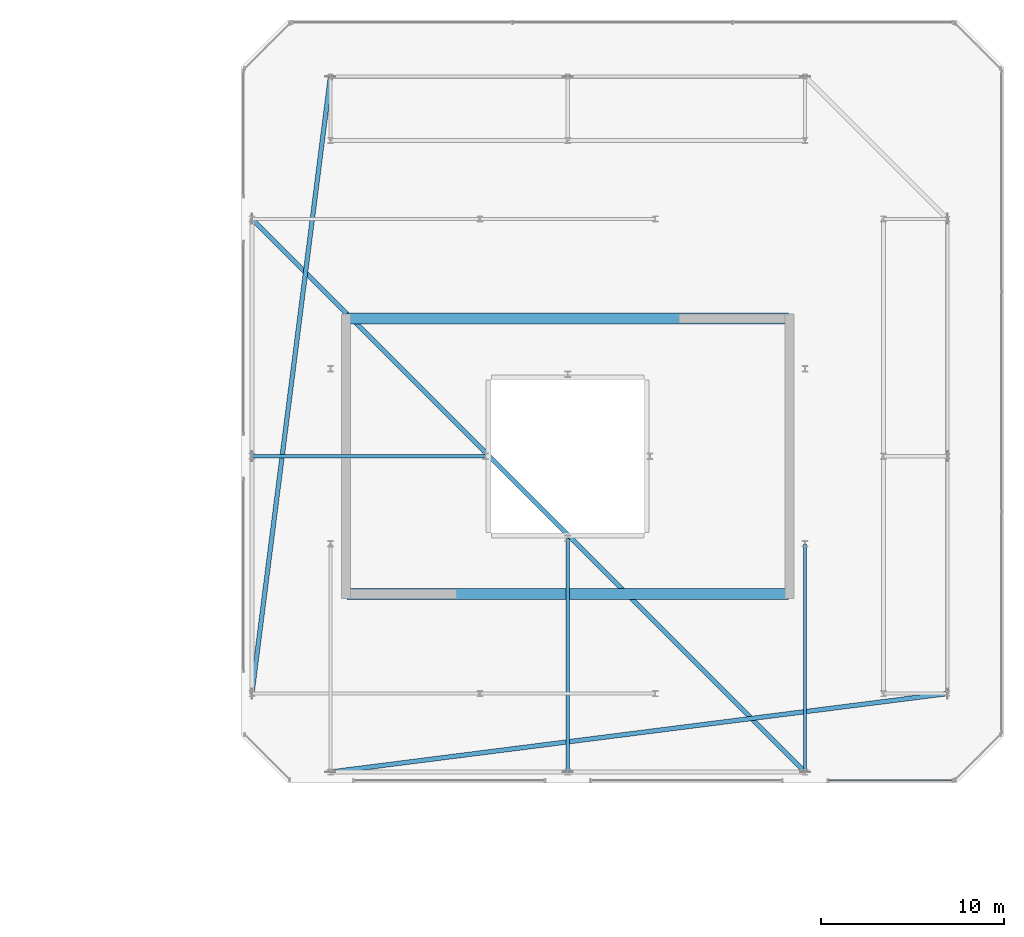
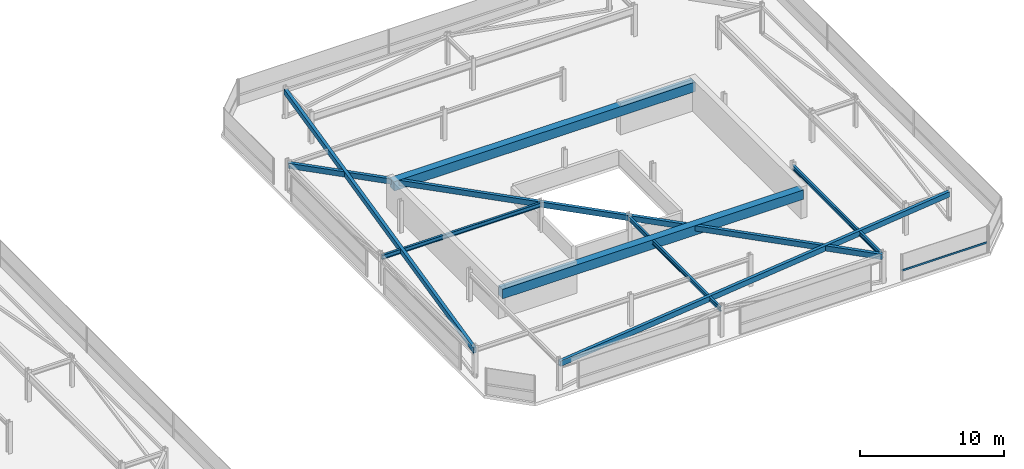
# One storey, part 32 of 44: 8 beams, 1 member, 1 element without a shape of its own.
"""IFC4 building model written with IfcOpenShell, lengths in metres."""

import ifcopenshell
import ifcopenshell.guid

model = None  # the IFC model being written
_history = None  # IfcOwnerHistory: only IFC2X3 demands one
_inside = {}  # id of a spatial element -> (the spatial element, [elements in it])
_under = {}  # id of a project, library or spatial element -> (it, [spatial elements below it])
_declared = {}  # id of a project -> (the project, [libraries it declares])
_typed = {}  # id of a type object -> (the type object, [elements of that type])
_made_of = {}  # id of a material, layer set ... -> (it, [elements and type objects made of it])


def new_model(schema):
    """Start an empty IFC model of exactly this schema.

    Asked for "IFC4X3", IfcOpenShell would pick the latest addendum, in which some entities
    have other attributes; the version numbers below select the first issue.
    IFC2X3 requires an IfcOwnerHistory on every rooted entity: one is made here for all.
    """
    global model, _history
    if schema == "IFC4X3":
        model = ifcopenshell.file(schema_version=(4, 3, 0, 0))
    else:
        model = ifcopenshell.file(schema=schema)
    _inside.clear()
    _under.clear()
    _declared.clear()
    _typed.clear()
    _made_of.clear()
    _history = None
    if model.schema == "IFC2X3":
        org = make("IfcOrganization", Name="unknown")
        user = make(
            "IfcPersonAndOrganization",
            ThePerson=make("IfcPerson", FamilyName="unknown"),
            TheOrganization=org,
        )
        app = make(
            "IfcApplication",
            ApplicationDeveloper=org,
            Version="unknown",
            ApplicationFullName="unknown",
            ApplicationIdentifier="unknown",
        )
        _history = make(
            "IfcOwnerHistory",
            OwningUser=user,
            OwningApplication=app,
            ChangeAction="ADDED",
            CreationDate=0,
        )
    return model


def make(cls, **values):
    """One entity of the class cls with the attributes given. An attribute that is None is left unset."""
    return model.create_entity(
        cls, **{name: value for name, value in values.items() if value is not None}
    )


def rooted(cls, **values):
    """An entity with a GlobalId (a new one), such as an element, a storey or a relation."""
    return make(cls, GlobalId=ifcopenshell.guid.new(), OwnerHistory=_history, **values)


def si_unit(unit_type, name, prefix=None):
    """IfcSIUnit, for example si_unit("LENGTHUNIT", "METRE", prefix="MILLI")."""
    return make("IfcSIUnit", UnitType=unit_type, Prefix=prefix, Name=name)


def assignment(units):
    """IfcUnitAssignment: the units of a project."""
    return None if units is None else make("IfcUnitAssignment", Units=units)


def point(xyz):
    """IfcCartesianPoint."""
    return None if xyz is None else make("IfcCartesianPoint", Coordinates=xyz)


def direction(xyz):
    """IfcDirection."""
    return None if xyz is None else make("IfcDirection", DirectionRatios=xyz)


def frame(location, z_axis=None, x_axis=None):
    """IfcAxis2Placement3D, a coordinate frame: its origin and axes. An axis left out is left unset."""
    return make(
        "IfcAxis2Placement3D",
        Location=point(location),
        Axis=direction(z_axis),
        RefDirection=direction(x_axis),
    )


def frame_2d(location, x_axis=None):
    """IfcAxis2Placement2D, a coordinate frame in the plane: its origin and x axis."""
    return make(
        "IfcAxis2Placement2D", Location=point(location), RefDirection=direction(x_axis)
    )


def origin():
    """The frame at (0, 0, 0) with its axes left unset."""
    return frame((0.0, 0.0, 0.0))


def origin_2d():
    """The frame at (0, 0) in the plane with its x axis left unset."""
    return frame_2d((0.0, 0.0))


def place(relative_to, where):
    """IfcLocalPlacement: puts the frame where relative to a parent placement (None: the world)."""
    return make(
        "IfcLocalPlacement", PlacementRelTo=relative_to, RelativePlacement=where
    )


def context(
    kind, dimensions, precision=None, world=None, true_north=None, identifier=None
):
    """IfcGeometricRepresentationContext, for example the 3D "Model" context."""
    return make(
        "IfcGeometricRepresentationContext",
        ContextIdentifier=identifier,
        ContextType=kind,
        CoordinateSpaceDimension=dimensions,
        Precision=precision,
        WorldCoordinateSystem=world,
        TrueNorth=true_north,
    )


def subcontext(parent, identifier, kind, view, scale=None):
    """IfcGeometricRepresentationSubContext, for example "Body" below "Model"."""
    return make(
        "IfcGeometricRepresentationSubContext",
        ContextIdentifier=identifier,
        ContextType=kind,
        ParentContext=parent,
        TargetScale=scale,
        TargetView=view,
    )


def project(units=None, contexts=None):
    """IfcProject with its units and contexts."""
    return rooted(
        "IfcProject",
        Name="project",
        RepresentationContexts=contexts,
        UnitsInContext=assignment(units),
    )


def spatial(cls, under=None, at=None, **own):
    """A site, building, storey or space (cls), placed at a placement, below another one or the project."""
    s = rooted(cls, ObjectPlacement=at, **own)
    if under is not None:
        _under.setdefault(under.id(), (under, []))[1].append(s)
    return s


def profile(cls, at=None, kind="AREA", **sizes):
    """A parametric profile (cls). Its sizes go by their IFC names, for example OverallWidth=200.0."""
    return make(cls, ProfileType=kind, Position=at, **sizes)


def rectangle(**sizes):
    """IfcRectangleProfileDef."""
    return profile("IfcRectangleProfileDef", **sizes)


def hollow_rectangle(**sizes):
    """IfcRectangleHollowProfileDef."""
    return profile("IfcRectangleHollowProfileDef", **sizes)


def i_section(**sizes):
    """IfcIShapeProfileDef."""
    return profile("IfcIShapeProfileDef", **sizes)


def extrude(swept, where, along, depth):
    """IfcExtrudedAreaSolid: the profile swept, set in the frame where, extruded along a direction by depth."""
    return make(
        "IfcExtrudedAreaSolid",
        SweptArea=swept,
        Position=where,
        ExtrudedDirection=direction(along),
        Depth=depth,
    )


def shape(context_of_items, identifier, shape_type, items):
    """IfcShapeRepresentation: the items that make up one representation, for example the "Body"."""
    return make(
        "IfcShapeRepresentation",
        ContextOfItems=context_of_items,
        RepresentationIdentifier=identifier,
        RepresentationType=shape_type,
        Items=items,
    )


def material(Name=None, Category=None):
    """IfcMaterial."""
    return make("IfcMaterial", Name=Name, Category=Category)


def material_profile(
    of_material, cross_section, Name=None, Category=None, Priority=None
):
    """IfcMaterialProfile: a cross section and its material."""
    return make(
        "IfcMaterialProfile",
        Name=Name,
        Material=of_material,
        Profile=cross_section,
        Priority=Priority,
        Category=Category,
    )


def profile_set(profiles, Name=None, composite=None):
    """IfcMaterialProfileSet."""
    return make(
        "IfcMaterialProfileSet",
        Name=Name,
        MaterialProfiles=profiles,
        CompositeProfile=composite,
    )


def made_of(thing, what):
    """Note that an element or type object is made of a material, layer set ...; save() writes the relation."""
    if what is not None:
        _made_of.setdefault(what.id(), (what, []))[1].append(thing)
    return thing


def type_object(cls, material=None, **own):
    """A type object (cls), such as IfcWallType, which elements share."""
    return made_of(rooted(cls, **own), material)


def element(
    cls,
    number,
    at=None,
    inside=None,
    cuts=None,
    type_object=None,
    material=None,
    context=None,
    identifier="Body",
    shape_type=None,
    held_by="IfcProductDefinitionShape",
    body=None,
    shapes=None,
    **own,
):
    """One element of the class cls, such as IfcWall. Its Tag is "e" and its number.

    at: its placement. inside: the storey or other place that contains it. cuts: it is an
    opening in that element (IfcRelVoidsElement). A single representation is given by context,
    identifier, shape_type and body (its items); several are given by shapes. held_by: the class
    of the entity that holds the representations. save() writes the other relations.
    """
    e = rooted(cls, Tag="e%d" % number, ObjectPlacement=at, **own)
    if body is not None:
        shapes = [shape(context, identifier, shape_type, body)]
    if shapes is not None:
        e.Representation = make(held_by, Representations=shapes)
    if inside is not None:
        _inside.setdefault(inside.id(), (inside, []))[1].append(e)
    if cuts is not None:
        rooted(
            "IfcRelVoidsElement", RelatingBuildingElement=cuts, RelatedOpeningElement=e
        )
    if type_object is not None:
        _typed.setdefault(type_object.id(), (type_object, []))[1].append(e)
    return made_of(e, material)


def aggregate(whole, parts):
    """IfcRelAggregates: a whole, such as a stair, and the parts it consists of."""
    return rooted("IfcRelAggregates", RelatingObject=whole, RelatedObjects=parts)


def save(model, path):
    """Write the relations noted so far, then the file.

    IfcRelAggregates (storeys below a building ...), IfcRelContainedInSpatialStructure (elements
    in a storey), IfcRelDefinesByType, IfcRelAssociatesMaterial and IfcRelDeclares: one each for
    every whole, place, type object, material and project.
    """
    for whole, parts in _under.values():
        aggregate(whole, parts)
    for where, things in _inside.values():
        rooted(
            "IfcRelContainedInSpatialStructure",
            RelatedElements=things,
            RelatingStructure=where,
        )
    for kind, things in _typed.values():
        rooted("IfcRelDefinesByType", RelatedObjects=things, RelatingType=kind)
    for what, things in _made_of.values():
        rooted("IfcRelAssociatesMaterial", RelatedObjects=things, RelatingMaterial=what)
    for by, libraries in _declared.values():
        rooted("IfcRelDeclares", RelatingContext=by, RelatedDefinitions=libraries)
    model.write(path)


model = new_model("IFC4")

# Units and contexts
model_context = context("Model", 3, precision=1e-05, world=origin(), true_north=direction((0.0, 1.0)))
body_context = subcontext(model_context, "Body", "Model", "MODEL_VIEW")
ifc_project = project(units=[si_unit("LENGTHUNIT", "METRE"), si_unit("AREAUNIT", "SQUARE_METRE"), si_unit("VOLUMEUNIT", "CUBIC_METRE"), si_unit("PLANEANGLEUNIT", "RADIAN"), si_unit("MASSUNIT", "GRAM", prefix="KILO")], contexts=[model_context])

# Site, building, storey
site_placement = place(None, origin())
site = spatial("IfcSite", under=ifc_project, at=site_placement, CompositionType="ELEMENT")
building_placement = place(site_placement, origin())
building = spatial("IfcBuilding", under=site, at=building_placement, Name="Thornwick Lancets Civic Towers", CompositionType="ELEMENT")
storey_placement = place(building_placement, frame((0.0, 0.0, 292.199951171875)))
storey = spatial("IfcBuildingStorey", under=building, at=storey_placement, Name="C05", CompositionType="ELEMENT", Elevation=292.199951171875)

# Beams
ifc_material_1 = material(Name="Concrete C60/75", Category="concrete")
ifc_material_profile_1 = material_profile(ifc_material_1, rectangle(XDim=0.60009765625, YDim=0.800048828125, at=origin_2d()), Name="RC 600x800")
ifc_profile_set_1 = profile_set([ifc_material_profile_1], Name="Concrete C60/75")
beam_type_1 = type_object("IfcBeamType", Name="BM_COUP_RC800", PredefinedType="BEAM", material=ifc_profile_set_1)
for number, where, z_axis, x_axis, name in (
    (1, (76.39990234375, 34.550048828125, 2.0400390625), (1.0, 0.0, 0.0), (0.0, 1.0, 0.0), "CB-C05-B1"),
    (2, (76.39990234375, 19.449951171875, 2.0400390625), (1.0, 0.0, 0.0), (0.0, 1.0, 0.0), "CB-C05-B2"),
):
    element("IfcBeam", number, at=place(storey_placement, frame(where, z_axis=z_axis, x_axis=x_axis)), inside=storey, type_object=beam_type_1, Name=name, PredefinedType="BEAM", context=body_context, shape_type="SweptSolid", body=[
        extrude(rectangle(XDim=0.60009765625, YDim=0.800048828125, at=origin_2d()), origin(), (0.0, 0.0, 1.0), 24.2001953125),
    ])
ifc_material_2 = material(Name="Steel S355JR", Category="steel")
ifc_material_profile_2 = material_profile(ifc_material_2, i_section(OverallWidth=0.173095703125, OverallDepth=0.36328125, WebThickness=0.009033203125, FlangeThickness=0.015625, FilletRadius=0.01025390625, at=origin_2d()), Name="UKB 356x171x67")
ifc_profile_set_2 = profile_set([ifc_material_profile_2], Name="Steel S355JR")
beam_type_2 = type_object("IfcBeamType", Name="BM_JOIST_356_67", PredefinedType="JOIST", material=ifc_profile_set_2)
beam_1_placement = place(storey_placement, frame((84.0, 27.0, 2.25830078125), z_axis=(-1.0, 0.0, 0.0), x_axis=(0.0, -1.0, 0.0)))
element("IfcBeam", 3, at=beam_1_placement, inside=storey, type_object=beam_type_2, Name="BM-RADIN-C05-B08", PredefinedType="JOIST", context=body_context, shape_type="SweptSolid", body=[
    extrude(i_section(OverallWidth=0.173095703125, OverallDepth=0.36328125, WebThickness=0.009033203125, FlangeThickness=0.015625, FilletRadius=0.01025390625, at=origin_2d()), origin(), (0.0, 0.0, 1.0), 12.800048828125),
])
beam_2_placement = place(storey_placement, frame((101.5, 22.199951171875, 2.25830078125), z_axis=(0.0, -1.0, 0.0), x_axis=(1.0, 0.0, 0.0)))
element("IfcBeam", 4, at=beam_2_placement, inside=storey, type_object=beam_type_2, Name="BM-RADIN-C05-B10", PredefinedType="JOIST", context=body_context, shape_type="SweptSolid", body=[
    extrude(i_section(OverallWidth=0.173095703125, OverallDepth=0.36328125, WebThickness=0.009033203125, FlangeThickness=0.015625, FilletRadius=0.01025390625, at=origin_2d()), origin(), (0.0, 0.0, 1.0), 12.5),
])
beam_3_placement = place(storey_placement, frame((88.5, 22.5, 2.25830078125), z_axis=(0.0, -1.0, 0.0), x_axis=(1.0, 0.0, 0.0)))
element("IfcBeam", 5, at=beam_3_placement, inside=storey, type_object=beam_type_2, Name="BM-RADIN-C05-B11", PredefinedType="JOIST", context=body_context, shape_type="SweptSolid", body=[
    extrude(i_section(OverallWidth=0.173095703125, OverallDepth=0.36328125, WebThickness=0.009033203125, FlangeThickness=0.015625, FilletRadius=0.01025390625, at=origin_2d()), origin(), (0.0, 0.0, 1.0), 12.800048828125),
])
ifc_material_profile_3 = material_profile(ifc_material_2, hollow_rectangle(XDim=0.25, YDim=0.449951171875, WallThickness=0.01611328125, at=origin_2d()), Name="RHS 450x250x16")
ifc_profile_set_3 = profile_set([ifc_material_profile_3], Name="Steel S355JR")
beam_type_3 = type_object("IfcBeamType", Name="BM_RING_RHS450", PredefinedType="BEAM", material=ifc_profile_set_3)
beam_4_placement = place(storey_placement, frame((75.5, 47.800048828125, 2.215087890625), z_axis=(-0.126202998662, -0.992004437051, 0.0), x_axis=(0.992004437051, -0.126202998662, 0.0)))
element("IfcBeam", 6, at=beam_4_placement, inside=storey, type_object=beam_type_3, Name="BM-CHAMF-C05-B-C1", PredefinedType="BEAM", context=body_context, shape_type="SweptSolid", body=[
    extrude(hollow_rectangle(XDim=0.25, YDim=0.449951171875, WallThickness=0.01611328125, at=origin_2d()), origin(), (0.0, 0.0, 1.0), 34.072509765625),
])
beam_5_placement = place(storey_placement, frame((71.199951171875, 40.0, 2.215087890625), z_axis=(0.707106781187, -0.707106781187, 0.0), x_axis=(0.707106781187, 0.707106781187, 0.0)))
element("IfcBeam", 7, at=beam_5_placement, inside=storey, type_object=beam_type_3, Name="BM-CHAMF-C05-B-C2", PredefinedType="BEAM", context=body_context, shape_type="SweptSolid", body=[
    extrude(hollow_rectangle(XDim=0.25, YDim=0.449951171875, WallThickness=0.01611328125, at=origin_2d()), origin(), (0.0, 0.0, 1.0), 42.850830078125),
])
beam_6_placement = place(storey_placement, frame((75.5, 9.699951171875, 2.215087890625), z_axis=(0.992004437051, 0.126202998662, 0.0), x_axis=(-0.126202998662, 0.992004437051, 0.0)))
element("IfcBeam", 8, at=beam_6_placement, inside=storey, type_object=beam_type_3, Name="BM-CHAMF-C05-B-C3", PredefinedType="BEAM", context=body_context, shape_type="SweptSolid", body=[
    extrude(hollow_rectangle(XDim=0.25, YDim=0.449951171875, WallThickness=0.01611328125, at=origin_2d()), origin(), (0.0, 0.0, 1.0), 34.072509765625),
])

# Curtain wall, member
ifc_material_3 = material(Name="Crown ring acoustic-louvre and glazing screen wall", Category="glass")
curtain_wall_type = type_object("IfcCurtainWallType", Name="CW_SYS_07", PredefinedType="NOTDEFINED", material=ifc_material_3)
curtain_wall_placement = place(storey_placement, origin())
curtain_wall = element("IfcCurtainWall", 9, at=curtain_wall_placement, inside=storey, type_object=curtain_wall_type, Name="C05 Curtain Wall CW-C05-B-E0-S3", PredefinedType="NOTDEFINED")
ifc_material_4 = material(Name="Thermally broken bronze aluminium S355", Category="steel")
ifc_material_profile_4 = material_profile(ifc_material_4, hollow_rectangle(XDim=0.074951171875, YDim=0.14990234375, WallThickness=0.0048828125, at=origin_2d()), Name="RHS 150x75x5")
ifc_profile_set_4 = profile_set([ifc_material_profile_4], Name="Thermally broken bronze aluminium S355")
member_type = type_object("IfcMemberType", Name="CW_TRN_150", PredefinedType="USERDEFINED", material=ifc_profile_set_4)
member_placement = place(storey_placement, frame((102.77001953125, 9.2353515625, 0.85009765625), z_axis=(1.0, 0.0, 0.0), x_axis=(0.0, 1.0, 0.0)))
member = element("IfcMember", 10, at=member_placement, type_object=member_type, Name="CW-C05-B-E0-S3 Transom 0", ObjectType="TRANSOM", PredefinedType="USERDEFINED", context=body_context, shape_type="SweptSolid", body=[
    extrude(hollow_rectangle(XDim=0.074951171875, YDim=0.14990234375, WallThickness=0.0048828125, at=origin_2d()), origin(), (0.0, 0.0, 1.0), 6.811279296875),
])
aggregate(curtain_wall, [member])

save(model, "model.ifc")
